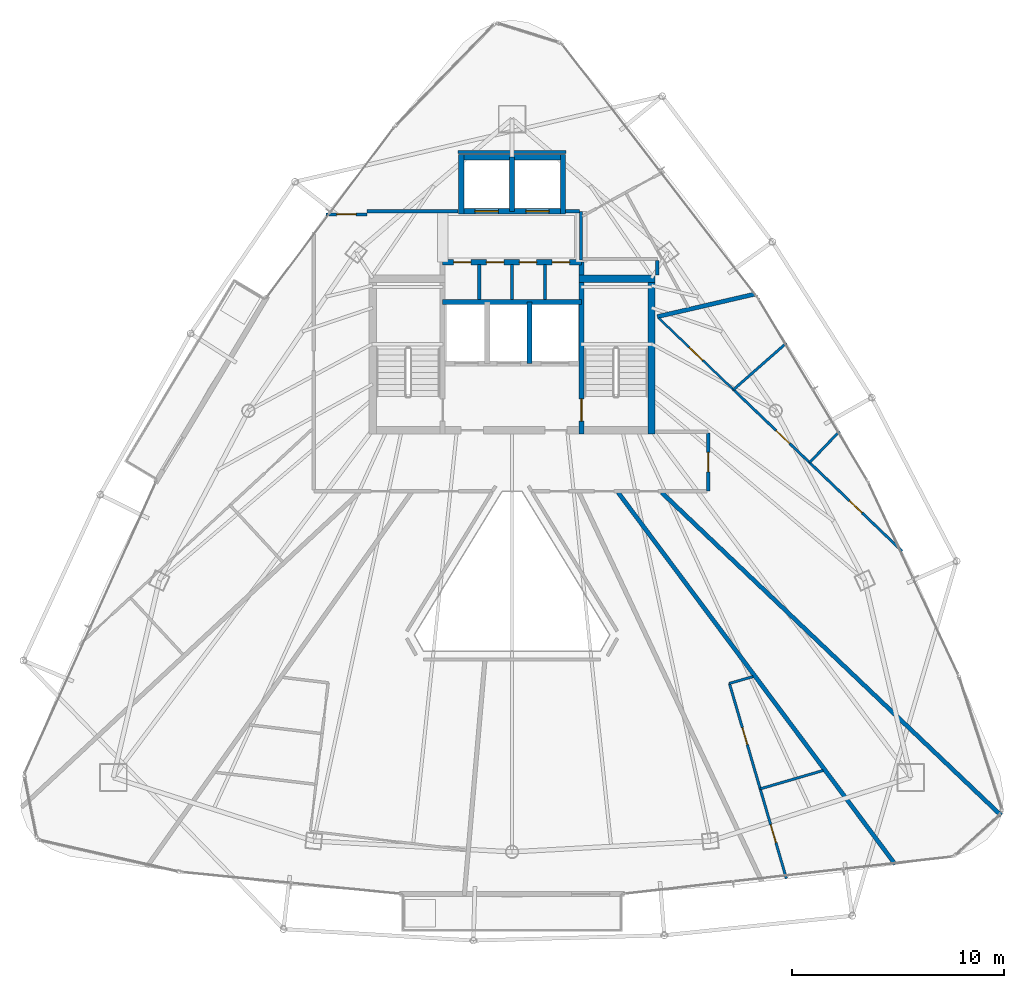
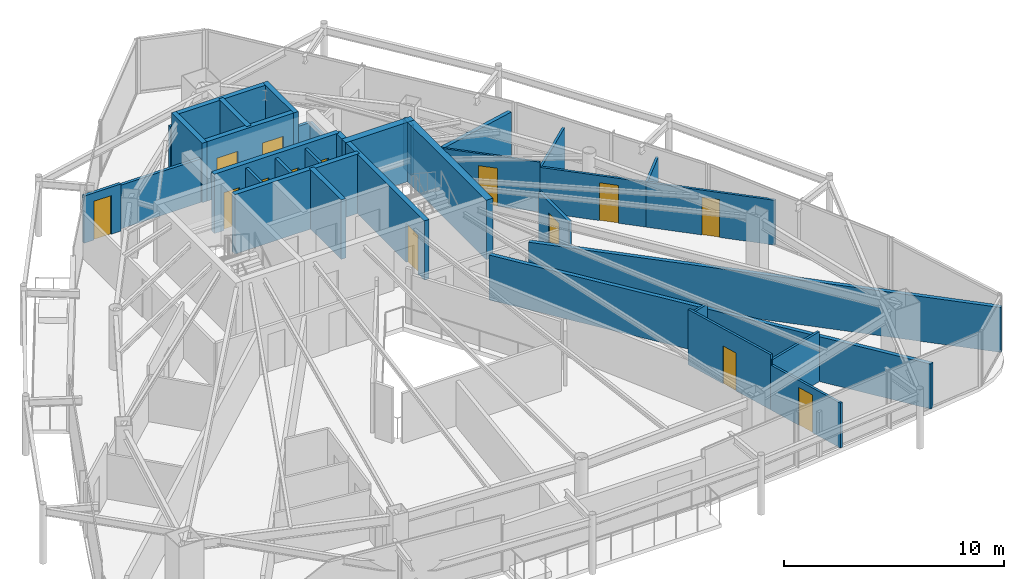
# One storey, part 28 of 32: 33 walls, 14 doors, 14 openings.
"""IFC4 building model written with IfcOpenShell, lengths in metres."""

import ifcopenshell
import ifcopenshell.guid

model = None  # the IFC model being written
_history = None  # IfcOwnerHistory: only IFC2X3 demands one
_inside = {}  # id of a spatial element -> (the spatial element, [elements in it])
_under = {}  # id of a project, library or spatial element -> (it, [spatial elements below it])
_declared = {}  # id of a project -> (the project, [libraries it declares])
_typed = {}  # id of a type object -> (the type object, [elements of that type])
_made_of = {}  # id of a material, layer set ... -> (it, [elements and type objects made of it])


def new_model(schema):
    """Start an empty IFC model of exactly this schema.

    Asked for "IFC4X3", IfcOpenShell would pick the latest addendum, in which some entities
    have other attributes; the version numbers below select the first issue.
    IFC2X3 requires an IfcOwnerHistory on every rooted entity: one is made here for all.
    """
    global model, _history
    if schema == "IFC4X3":
        model = ifcopenshell.file(schema_version=(4, 3, 0, 0))
    else:
        model = ifcopenshell.file(schema=schema)
    _inside.clear()
    _under.clear()
    _declared.clear()
    _typed.clear()
    _made_of.clear()
    _history = None
    if model.schema == "IFC2X3":
        org = make("IfcOrganization", Name="unknown")
        user = make(
            "IfcPersonAndOrganization",
            ThePerson=make("IfcPerson", FamilyName="unknown"),
            TheOrganization=org,
        )
        app = make(
            "IfcApplication",
            ApplicationDeveloper=org,
            Version="unknown",
            ApplicationFullName="unknown",
            ApplicationIdentifier="unknown",
        )
        _history = make(
            "IfcOwnerHistory",
            OwningUser=user,
            OwningApplication=app,
            ChangeAction="ADDED",
            CreationDate=0,
        )
    return model


def make(cls, **values):
    """One entity of the class cls with the attributes given. An attribute that is None is left unset."""
    return model.create_entity(
        cls, **{name: value for name, value in values.items() if value is not None}
    )


def rooted(cls, **values):
    """An entity with a GlobalId (a new one), such as an element, a storey or a relation."""
    return make(cls, GlobalId=ifcopenshell.guid.new(), OwnerHistory=_history, **values)


def si_unit(unit_type, name, prefix=None):
    """IfcSIUnit, for example si_unit("LENGTHUNIT", "METRE", prefix="MILLI")."""
    return make("IfcSIUnit", UnitType=unit_type, Prefix=prefix, Name=name)


def assignment(units):
    """IfcUnitAssignment: the units of a project."""
    return None if units is None else make("IfcUnitAssignment", Units=units)


def point(xyz):
    """IfcCartesianPoint."""
    return None if xyz is None else make("IfcCartesianPoint", Coordinates=xyz)


def direction(xyz):
    """IfcDirection."""
    return None if xyz is None else make("IfcDirection", DirectionRatios=xyz)


def frame(location, z_axis=None, x_axis=None):
    """IfcAxis2Placement3D, a coordinate frame: its origin and axes. An axis left out is left unset."""
    return make(
        "IfcAxis2Placement3D",
        Location=point(location),
        Axis=direction(z_axis),
        RefDirection=direction(x_axis),
    )


def frame_2d(location, x_axis=None):
    """IfcAxis2Placement2D, a coordinate frame in the plane: its origin and x axis."""
    return make(
        "IfcAxis2Placement2D", Location=point(location), RefDirection=direction(x_axis)
    )


def origin():
    """The frame at (0, 0, 0) with its axes left unset."""
    return frame((0.0, 0.0, 0.0))


def place(relative_to, where):
    """IfcLocalPlacement: puts the frame where relative to a parent placement (None: the world)."""
    return make(
        "IfcLocalPlacement", PlacementRelTo=relative_to, RelativePlacement=where
    )


def context(
    kind, dimensions, precision=None, world=None, true_north=None, identifier=None
):
    """IfcGeometricRepresentationContext, for example the 3D "Model" context."""
    return make(
        "IfcGeometricRepresentationContext",
        ContextIdentifier=identifier,
        ContextType=kind,
        CoordinateSpaceDimension=dimensions,
        Precision=precision,
        WorldCoordinateSystem=world,
        TrueNorth=true_north,
    )


def subcontext(parent, identifier, kind, view, scale=None):
    """IfcGeometricRepresentationSubContext, for example "Body" below "Model"."""
    return make(
        "IfcGeometricRepresentationSubContext",
        ContextIdentifier=identifier,
        ContextType=kind,
        ParentContext=parent,
        TargetScale=scale,
        TargetView=view,
    )


def project(units=None, contexts=None):
    """IfcProject with its units and contexts."""
    return rooted(
        "IfcProject",
        Name="project",
        RepresentationContexts=contexts,
        UnitsInContext=assignment(units),
    )


def spatial(cls, under=None, at=None, **own):
    """A site, building, storey or space (cls), placed at a placement, below another one or the project."""
    s = rooted(cls, ObjectPlacement=at, **own)
    if under is not None:
        _under.setdefault(under.id(), (under, []))[1].append(s)
    return s


def profile(cls, at=None, kind="AREA", **sizes):
    """A parametric profile (cls). Its sizes go by their IFC names, for example OverallWidth=200.0."""
    return make(cls, ProfileType=kind, Position=at, **sizes)


def rectangle(**sizes):
    """IfcRectangleProfileDef."""
    return profile("IfcRectangleProfileDef", **sizes)


def extrude(swept, where, along, depth):
    """IfcExtrudedAreaSolid: the profile swept, set in the frame where, extruded along a direction by depth."""
    return make(
        "IfcExtrudedAreaSolid",
        SweptArea=swept,
        Position=where,
        ExtrudedDirection=direction(along),
        Depth=depth,
    )


def shape(context_of_items, identifier, shape_type, items):
    """IfcShapeRepresentation: the items that make up one representation, for example the "Body"."""
    return make(
        "IfcShapeRepresentation",
        ContextOfItems=context_of_items,
        RepresentationIdentifier=identifier,
        RepresentationType=shape_type,
        Items=items,
    )


def material(Name=None, Category=None):
    """IfcMaterial."""
    return make("IfcMaterial", Name=Name, Category=Category)


def layer(
    of_material, thickness, ventilated=None, Name=None, Category=None, Priority=None
):
    """IfcMaterialLayer: one layer of a wall or slab, of a material (None: an air gap)."""
    return make(
        "IfcMaterialLayer",
        Material=of_material,
        LayerThickness=thickness,
        IsVentilated=ventilated,
        Name=Name,
        Category=Category,
        Priority=Priority,
    )


def layer_set(layers, Name=None):
    """IfcMaterialLayerSet."""
    return make("IfcMaterialLayerSet", MaterialLayers=layers, LayerSetName=Name)


def made_of(thing, what):
    """Note that an element or type object is made of a material, layer set ...; save() writes the relation."""
    if what is not None:
        _made_of.setdefault(what.id(), (what, []))[1].append(thing)
    return thing


def type_object(cls, material=None, **own):
    """A type object (cls), such as IfcWallType, which elements share."""
    return made_of(rooted(cls, **own), material)


def element(
    cls,
    number,
    at=None,
    inside=None,
    cuts=None,
    type_object=None,
    material=None,
    context=None,
    identifier="Body",
    shape_type=None,
    held_by="IfcProductDefinitionShape",
    body=None,
    shapes=None,
    **own,
):
    """One element of the class cls, such as IfcWall. Its Tag is "e" and its number.

    at: its placement. inside: the storey or other place that contains it. cuts: it is an
    opening in that element (IfcRelVoidsElement). A single representation is given by context,
    identifier, shape_type and body (its items); several are given by shapes. held_by: the class
    of the entity that holds the representations. save() writes the other relations.
    """
    e = rooted(cls, Tag="e%d" % number, ObjectPlacement=at, **own)
    if body is not None:
        shapes = [shape(context, identifier, shape_type, body)]
    if shapes is not None:
        e.Representation = make(held_by, Representations=shapes)
    if inside is not None:
        _inside.setdefault(inside.id(), (inside, []))[1].append(e)
    if cuts is not None:
        rooted(
            "IfcRelVoidsElement", RelatingBuildingElement=cuts, RelatedOpeningElement=e
        )
    if type_object is not None:
        _typed.setdefault(type_object.id(), (type_object, []))[1].append(e)
    return made_of(e, material)


def fill(opening, filler):
    """IfcRelFillsElement: the door or window that sits in an opening."""
    return rooted(
        "IfcRelFillsElement",
        RelatingOpeningElement=opening,
        RelatedBuildingElement=filler,
    )


def aggregate(whole, parts):
    """IfcRelAggregates: a whole, such as a stair, and the parts it consists of."""
    return rooted("IfcRelAggregates", RelatingObject=whole, RelatedObjects=parts)


def save(model, path):
    """Write the relations noted so far, then the file.

    IfcRelAggregates (storeys below a building ...), IfcRelContainedInSpatialStructure (elements
    in a storey), IfcRelDefinesByType, IfcRelAssociatesMaterial and IfcRelDeclares: one each for
    every whole, place, type object, material and project.
    """
    for whole, parts in _under.values():
        aggregate(whole, parts)
    for where, things in _inside.values():
        rooted(
            "IfcRelContainedInSpatialStructure",
            RelatedElements=things,
            RelatingStructure=where,
        )
    for kind, things in _typed.values():
        rooted("IfcRelDefinesByType", RelatedObjects=things, RelatingType=kind)
    for what, things in _made_of.values():
        rooted("IfcRelAssociatesMaterial", RelatedObjects=things, RelatingMaterial=what)
    for by, libraries in _declared.values():
        rooted("IfcRelDeclares", RelatingContext=by, RelatedDefinitions=libraries)
    model.write(path)


model = new_model("IFC4")

# Units and contexts
model_context = context("Model", 3, precision=1e-05, world=origin(), true_north=direction((0.0, 1.0)))
body_context = subcontext(model_context, "Body", "Model", "MODEL_VIEW")
ifc_project = project(units=[si_unit("LENGTHUNIT", "METRE"), si_unit("AREAUNIT", "SQUARE_METRE"), si_unit("VOLUMEUNIT", "CUBIC_METRE"), si_unit("PLANEANGLEUNIT", "RADIAN"), si_unit("MASSUNIT", "GRAM", prefix="KILO")], contexts=[model_context])

# Site, building, storey
site_placement = place(None, origin())
site = spatial("IfcSite", under=ifc_project, at=site_placement, CompositionType="ELEMENT")
building_placement = place(site_placement, origin())
building = spatial("IfcBuilding", under=site, at=building_placement, Name="Orvanel Arch Residences", CompositionType="ELEMENT")
storey_placement = place(building_placement, frame((0.0, 0.0, 219.5)))
storey = spatial("IfcBuildingStorey", under=building, at=storey_placement, Name="L62", CompositionType="ELEMENT", Elevation=219.5)

# Wall, opening, door
ifc_material_1 = material(Name="Concrete N50 (50 MPa)", Category="concrete")
ifc_layer_1 = layer(ifc_material_1, 0.25)
ifc_layer_set_1 = layer_set([ifc_layer_1], Name="Concrete N50 (50 MPa)")
wall_type_1 = type_object("IfcWallType", Name="SW-CORE-250", PredefinedType="SHEAR", material=ifc_layer_set_1)
wall_1_placement = place(storey_placement, frame((36.27490234375, 26.550048828125, 0.0), z_axis=(0.0, 0.0, 1.0), x_axis=(0.0, 1.0, 0.0)))
wall_1 = element("IfcWall", 1, at=wall_1_placement, inside=storey, type_object=wall_type_1, Name="L62 East Inner Core Spine Shear Wall", PredefinedType="SHEAR", context=body_context, shape_type="SweptSolid", body=[
    extrude(rectangle(XDim=8.099853515625, YDim=0.25, at=frame_2d((4.0498046875, 0.0))), origin(), (0.0, 0.0, 1.0), 3.300048828125),
])
opening_1_placement = place(wall_1_placement, frame((0.60009765625, 0.0, 0.0)))
opening_1 = element("IfcOpeningElement", 2, at=opening_1_placement, cuts=wall_1, Name="Opening DF-120", PredefinedType="OPENING", context=body_context, shape_type="SweptSolid", body=[
    extrude(rectangle(XDim=1.050048828125, YDim=2.14990234375, at=frame_2d((0.52490234375, 1.074951171875))), frame((0.0, 0.135009765625, 0.0), z_axis=(0.0, -1.0, 0.0), x_axis=(1.0, 0.0, 0.0)), (0.0, 0.0, 1.0), 0.27001953125),
])
ifc_material_2 = material(Name="Galvanised steel fire-resisting door assembly", Category="steel")
door_type_1 = type_object("IfcDoorType", Name="DR-FD120-1050", OperationType="NOTDEFINED", PredefinedType="DOOR", material=ifc_material_2)
door_1_placement = place(opening_1_placement, origin())
door_1 = element("IfcDoor", 3, at=door_1_placement, inside=storey, type_object=door_type_1, Name="DR-L62-ST2 L62 Stair 2 Fire Door", OperationType="SINGLE_SWING_RIGHT", OverallHeight=2.14990234375, OverallWidth=1.050048828125, PredefinedType="DOOR", context=body_context, shape_type="SweptSolid", body=[
    extrude(rectangle(XDim=1.050048828125, YDim=2.14990234375, at=frame_2d((0.52490234375, 1.074951171875))), frame((0.0, 0.02490234375, 0.0), z_axis=(0.0, -1.0, 0.0), x_axis=(1.0, 0.0, 0.0)), (0.0, 0.0, 1.0), 0.050048828125),
])
fill(opening_1, door_1)

# Walls
wall_2_placement = place(storey_placement, frame((29.72509765625, 32.77490234375, 0.0), z_axis=(0.0, 0.0, 1.0), x_axis=(1.0, 0.0, 0.0)))
element("IfcWall", 4, at=wall_2_placement, inside=storey, type_object=wall_type_1, Name="L62 Emergency Lift Back Core Shear Wall", PredefinedType="SHEAR", context=body_context, shape_type="SweptSolid", body=[
    extrude(rectangle(XDim=6.5498046875, YDim=0.25, at=frame_2d((3.27490234375, 0.0))), origin(), (0.0, 0.0, 1.0), 3.300048828125),
])
wall_3_placement = place(storey_placement, frame((33.824951171875, 29.875, 0.0), z_axis=(0.0, 0.0, 1.0), x_axis=(0.0, 1.0, 0.0)))
element("IfcWall", 5, at=wall_3_placement, inside=storey, type_object=wall_type_1, Name="L62 Emergency Lift Inter-Shaft Wall F2G", PredefinedType="SHEAR", context=body_context, shape_type="SweptSolid", body=[
    extrude(rectangle(XDim=2.89990234375, YDim=0.25, at=frame_2d((1.449951171875, 0.0))), origin(), (0.0, 0.0, 1.0), 3.300048828125),
])

# Wall, openings, doors
wall_4_placement = place(storey_placement, frame((29.72509765625, 34.64990234375, 0.0), z_axis=(0.0, 0.0, 1.0), x_axis=(1.0, 0.0, 0.0)))
wall_4 = element("IfcWall", 6, at=wall_4_placement, inside=storey, type_object=wall_type_1, Name="L62 Core Service Band North Shear Wall", PredefinedType="SHEAR", context=body_context, shape_type="SweptSolid", body=[
    extrude(rectangle(XDim=6.5498046875, YDim=0.25, at=frame_2d((3.27490234375, 0.0))), origin(), (0.0, 0.0, 1.0), 3.300048828125),
])
opening_2_placement = place(wall_4_placement, frame((0.514892578125, 0.0, 0.0)))
opening_2 = element("IfcOpeningElement", 7, at=opening_2_placement, cuts=wall_4, Name="Opening DS-082", PredefinedType="OPENING", context=body_context, shape_type="SweptSolid", body=[
    extrude(rectangle(XDim=0.820068359375, YDim=2.10009765625, at=frame_2d((0.41015625, 1.050048828125))), frame((0.0, 0.135009765625, 0.0), z_axis=(0.0, -1.0, 0.0), x_axis=(1.0, 0.0, 0.0)), (0.0, 0.0, 1.0), 0.27001953125),
])
opening_3_placement = place(wall_4_placement, frame((2.06494140625, 0.0, 0.0)))
opening_3 = element("IfcOpeningElement", 8, at=opening_3_placement, cuts=wall_4, Name="Opening DS-082", PredefinedType="OPENING", context=body_context, shape_type="SweptSolid", body=[
    extrude(rectangle(XDim=0.820068359375, YDim=2.10009765625, at=frame_2d((0.41015625, 1.050048828125))), frame((0.0, 0.135009765625, 0.0), z_axis=(0.0, -1.0, 0.0), x_axis=(1.0, 0.0, 0.0)), (0.0, 0.0, 1.0), 0.27001953125),
])
opening_4_placement = place(wall_4_placement, frame((3.614990234375, 0.0, 0.0)))
opening_4 = element("IfcOpeningElement", 9, at=opening_4_placement, cuts=wall_4, Name="Opening DS-082", PredefinedType="OPENING", context=body_context, shape_type="SweptSolid", body=[
    extrude(rectangle(XDim=0.820068359375, YDim=2.10009765625, at=frame_2d((0.41015625, 1.050048828125))), frame((0.0, 0.135009765625, 0.0), z_axis=(0.0, -1.0, 0.0), x_axis=(1.0, 0.0, 0.0)), (0.0, 0.0, 1.0), 0.27001953125),
])
opening_5_placement = place(wall_4_placement, frame((5.1650390625, 0.0, 0.0)))
opening_5 = element("IfcOpeningElement", 10, at=opening_5_placement, cuts=wall_4, Name="Opening DS-082", PredefinedType="OPENING", context=body_context, shape_type="SweptSolid", body=[
    extrude(rectangle(XDim=0.820068359375, YDim=2.10009765625, at=frame_2d((0.41015625, 1.050048828125))), frame((0.0, 0.135009765625, 0.0), z_axis=(0.0, -1.0, 0.0), x_axis=(1.0, 0.0, 0.0)), (0.0, 0.0, 1.0), 0.27001953125),
])
door_type_2 = type_object("IfcDoorType", Name="DR-SVC-820", OperationType="NOTDEFINED", PredefinedType="DOOR", material=ifc_material_2)
door_2_placement = place(opening_2_placement, origin())
door_2 = element("IfcDoor", 11, at=door_2_placement, inside=storey, type_object=door_type_2, Name="DR-L62-CSVC-1 L62 Linen Store Door", OperationType="SINGLE_SWING_LEFT", OverallHeight=2.10009765625, OverallWidth=0.820068359375, PredefinedType="DOOR", context=body_context, shape_type="SweptSolid", body=[
    extrude(rectangle(XDim=0.820068359375, YDim=2.10009765625, at=frame_2d((0.41015625, 1.050048828125))), frame((0.0, 0.02490234375, 0.0), z_axis=(0.0, -1.0, 0.0), x_axis=(1.0, 0.0, 0.0)), (0.0, 0.0, 1.0), 0.050048828125),
])
fill(opening_2, door_2)
door_3_placement = place(opening_3_placement, origin())
door_3 = element("IfcDoor", 12, at=door_3_placement, inside=storey, type_object=door_type_2, Name="DR-L62-CSVC-2 L62 Cleaner's Store Door", OperationType="SINGLE_SWING_LEFT", OverallHeight=2.10009765625, OverallWidth=0.820068359375, PredefinedType="DOOR", context=body_context, shape_type="SweptSolid", body=[
    extrude(rectangle(XDim=0.820068359375, YDim=2.10009765625, at=frame_2d((0.41015625, 1.050048828125))), frame((0.0, 0.02490234375, 0.0), z_axis=(0.0, -1.0, 0.0), x_axis=(1.0, 0.0, 0.0)), (0.0, 0.0, 1.0), 0.050048828125),
])
fill(opening_3, door_3)
door_4_placement = place(opening_4_placement, origin())
door_4 = element("IfcDoor", 13, at=door_4_placement, inside=storey, type_object=door_type_2, Name="DR-L62-CSVC-3 L62 Electrical Meter Store Door", OperationType="SINGLE_SWING_LEFT", OverallHeight=2.10009765625, OverallWidth=0.820068359375, PredefinedType="DOOR", context=body_context, shape_type="SweptSolid", body=[
    extrude(rectangle(XDim=0.820068359375, YDim=2.10009765625, at=frame_2d((0.41015625, 1.050048828125))), frame((0.0, 0.02490234375, 0.0), z_axis=(0.0, -1.0, 0.0), x_axis=(1.0, 0.0, 0.0)), (0.0, 0.0, 1.0), 0.050048828125),
])
fill(opening_4, door_4)
door_5_placement = place(opening_5_placement, origin())
door_5 = element("IfcDoor", 14, at=door_5_placement, inside=storey, type_object=door_type_2, Name="DR-L62-CSVC-4 L62 Housekeeping Supply Store Door", OperationType="SINGLE_SWING_LEFT", OverallHeight=2.10009765625, OverallWidth=0.820068359375, PredefinedType="DOOR", context=body_context, shape_type="SweptSolid", body=[
    extrude(rectangle(XDim=0.820068359375, YDim=2.10009765625, at=frame_2d((0.41015625, 1.050048828125))), frame((0.0, 0.02490234375, 0.0), z_axis=(0.0, -1.0, 0.0), x_axis=(1.0, 0.0, 0.0)), (0.0, 0.0, 1.0), 0.050048828125),
])
fill(opening_5, door_5)

wall_5_placement = place(storey_placement, frame((35.52490234375, 37.050048828125, 0.0), z_axis=(0.0, 0.0, 1.0), x_axis=(-1.0, 0.0, 0.0)))
wall_5 = element("IfcWall", 15, at=wall_5_placement, inside=storey, type_object=wall_type_1, Name="L62 Passenger Lift Bank Front Shear Wall", PredefinedType="SHEAR", context=body_context, shape_type="SweptSolid", body=[
    extrude(rectangle(XDim=5.0498046875, YDim=0.25, at=frame_2d((2.52490234375, 0.0))), origin(), (0.0, 0.0, 1.0), 3.300048828125),
])
opening_6_placement = place(wall_5_placement, frame((3.175048828125, 0.0, 0.0)))
opening_6 = element("IfcOpeningElement", 16, at=opening_6_placement, cuts=wall_5, Name="Opening LD-110", PredefinedType="OPENING", context=body_context, shape_type="SweptSolid", body=[
    extrude(rectangle(XDim=1.10009765625, YDim=2.199951171875, at=frame_2d((0.550048828125, 1.10009765625))), frame((0.0, 0.135009765625, 0.0), z_axis=(0.0, -1.0, 0.0), x_axis=(1.0, 0.0, 0.0)), (0.0, 0.0, 1.0), 0.27001953125),
])
opening_7_placement = place(wall_5_placement, frame((0.77490234375, 0.0, 0.0)))
opening_7 = element("IfcOpeningElement", 17, at=opening_7_placement, cuts=wall_5, Name="Opening LD-110", PredefinedType="OPENING", context=body_context, shape_type="SweptSolid", body=[
    extrude(rectangle(XDim=1.10009765625, YDim=2.199951171875, at=frame_2d((0.550048828125, 1.10009765625))), frame((0.0, 0.135009765625, 0.0), z_axis=(0.0, -1.0, 0.0), x_axis=(1.0, 0.0, 0.0)), (0.0, 0.0, 1.0), 0.27001953125),
])
door_type_3 = type_object("IfcDoorType", Name="DR-LFT-1100", OperationType="NOTDEFINED", PredefinedType="DOOR", material=ifc_material_2)
door_6_placement = place(opening_6_placement, origin())
door_6 = element("IfcDoor", 18, at=door_6_placement, inside=storey, type_object=door_type_3, Name="LD-P5-L62 L62 Passenger Lift P5 Sliding Landing Door", OperationType="DOUBLE_DOOR_SLIDING", OverallHeight=2.199951171875, OverallWidth=1.10009765625, PredefinedType="DOOR", context=body_context, shape_type="SweptSolid", body=[
    extrude(rectangle(XDim=1.10009765625, YDim=2.199951171875, at=frame_2d((0.550048828125, 1.10009765625))), frame((0.0, 0.02490234375, 0.0), z_axis=(0.0, -1.0, 0.0), x_axis=(1.0, 0.0, 0.0)), (0.0, 0.0, 1.0), 0.050048828125),
])
fill(opening_6, door_6)
door_7_placement = place(opening_7_placement, origin())
door_7 = element("IfcDoor", 19, at=door_7_placement, inside=storey, type_object=door_type_3, Name="LD-P6-L62 L62 Passenger Lift P6 Sliding Landing Door", OperationType="DOUBLE_DOOR_SLIDING", OverallHeight=2.199951171875, OverallWidth=1.10009765625, PredefinedType="DOOR", context=body_context, shape_type="SweptSolid", body=[
    extrude(rectangle(XDim=1.10009765625, YDim=2.199951171875, at=frame_2d((0.550048828125, 1.10009765625))), frame((0.0, 0.02490234375, 0.0), z_axis=(0.0, -1.0, 0.0), x_axis=(1.0, 0.0, 0.0)), (0.0, 0.0, 1.0), 0.050048828125),
])
fill(opening_7, door_7)

# Walls
wall_6_placement = place(storey_placement, frame((30.47509765625, 39.60009765625, 0.0), z_axis=(0.0, 0.0, 1.0), x_axis=(1.0, 0.0, 0.0)))
element("IfcWall", 20, at=wall_6_placement, inside=storey, type_object=wall_type_1, Name="L62 Passenger Lift Bank North Shear Wall", PredefinedType="SHEAR", context=body_context, shape_type="SweptSolid", body=[
    extrude(rectangle(XDim=5.0498046875, YDim=0.25, at=frame_2d((2.52490234375, 0.0))), origin(), (0.0, 0.0, 1.0), 3.300048828125),
])
for number, where, z_axis, x_axis, name in (
    (21, (30.60009765625, 36.925048828125, 0.0), (0.0, 0.0, 1.0), (0.0, 1.0, 0.0), "L62 Passenger Lift Bank West Shear Wall"),
    (22, (35.39990234375, 36.925048828125, 0.0), (0.0, 0.0, 1.0), (0.0, 1.0, 0.0), "L62 Passenger Lift Bank East Shear Wall"),
):
    element("IfcWall", number, at=place(storey_placement, frame(where, z_axis=z_axis, x_axis=x_axis)), inside=storey, type_object=wall_type_1, Name=name, PredefinedType="SHEAR", context=body_context, shape_type="SweptSolid", body=[
        extrude(rectangle(XDim=2.800048828125, YDim=0.25, at=frame_2d((1.39990234375, 0.0))), origin(), (0.0, 0.0, 1.0), 3.300048828125),
    ])
wall_7_placement = place(storey_placement, frame((33.0, 37.050048828125, 0.0), z_axis=(0.0, 0.0, 1.0), x_axis=(0.0, 1.0, 0.0)))
element("IfcWall", 23, at=wall_7_placement, inside=storey, type_object=wall_type_1, Name="L62 Passenger Lift Inter-Shaft Wall P56", PredefinedType="SHEAR", context=body_context, shape_type="SweptSolid", body=[
    extrude(rectangle(XDim=2.550048828125, YDim=0.25, at=frame_2d((1.27490234375, 0.0))), origin(), (0.0, 0.0, 1.0), 3.300048828125),
])
ifc_layer_2 = layer(ifc_material_1, 0.35009765625)
ifc_layer_set_2 = layer_set([ifc_layer_2], Name="Concrete N50 (50 MPa)")
wall_type_2 = type_object("IfcWallType", Name="SW-CORE-350", PredefinedType="SHEAR", material=ifc_layer_set_2)
wall_8_placement = place(storey_placement, frame((39.574951171875, 26.550048828125, 0.0), z_axis=(0.0, 0.0, 1.0), x_axis=(0.0, 1.0, 0.0)))
element("IfcWall", 24, at=wall_8_placement, inside=storey, type_object=wall_type_2, Name="L62 East Stair Shear Wall", PredefinedType="SHEAR", context=body_context, shape_type="SweptSolid", body=[
    extrude(rectangle(XDim=7.5, YDim=0.35009765625, at=frame_2d((3.75, 0.0))), origin(), (0.0, 0.0, 1.0), 3.300048828125),
])
wall_9_placement = place(storey_placement, frame((36.14990234375, 33.875, 0.0), z_axis=(0.0, 0.0, 1.0), x_axis=(1.0, 0.0, 0.0)))
element("IfcWall", 25, at=wall_9_placement, inside=storey, type_object=wall_type_2, Name="L62 East Stair North Shear Wall", PredefinedType="SHEAR", context=body_context, shape_type="SweptSolid", body=[
    extrude(rectangle(XDim=3.60009765625, YDim=0.35009765625, at=frame_2d((1.800048828125, 0.0))), origin(), (0.0, 0.0, 1.0), 3.300048828125),
])
ifc_material_3 = material(Name="Fire-rated plasterboard lined steel stud partition", Category="steel")
ifc_layer_3 = layer(ifc_material_3, 0.14990234375)
ifc_layer_set_3 = layer_set([ifc_layer_3], Name="Fire-rated plasterboard lined steel stud partition")
wall_type_3 = type_object("IfcWallType", Name="W-COR-150", PredefinedType="PARTITIONING", material=ifc_layer_set_3)
wall_10_placement = place(storey_placement, frame((36.25, 34.760009765625, 0.0), z_axis=(0.0, 0.0, 1.0), x_axis=(0.0, 1.0, 0.0)))
element("IfcWall", 26, at=wall_10_placement, inside=storey, type_object=wall_type_3, Name="L62 Passenger Lift Lobby East Closure Wall", PredefinedType="PARTITIONING", context=body_context, shape_type="SweptSolid", body=[
    extrude(rectangle(XDim=2.2900390625, YDim=0.14990234375, at=frame_2d((1.14501953125, 0.0))), origin(), (0.0, 0.0, 1.0), 2.425048828125),
])
wall_11_placement = place(storey_placement, frame((35.52490234375, 37.050048828125, 0.0), z_axis=(0.0, 0.0, 1.0), x_axis=(1.0, 0.0, 0.0)))
element("IfcWall", 27, at=wall_11_placement, inside=storey, type_object=wall_type_3, Name="L62 Passenger Lift Lobby North-East Wall", PredefinedType="PARTITIONING", context=body_context, shape_type="SweptSolid", body=[
    extrude(rectangle(XDim=0.6650390625, YDim=0.14990234375, at=frame_2d((0.33251953125, 0.0))), origin(), (0.0, 0.0, 1.0), 2.425048828125),
])

# Wall, opening, door
wall_12_placement = place(storey_placement, frame((24.22607421875, 36.89990234375, 0.0), z_axis=(0.0, 0.0, 1.0), x_axis=(1.0, 0.0, 0.0)))
wall_12 = element("IfcWall", 28, at=wall_12_placement, inside=storey, type_object=wall_type_3, Name="L62 Corridor Fire-Rated Partition", PredefinedType="PARTITIONING", context=body_context, shape_type="SweptSolid", body=[
    extrude(rectangle(XDim=1.923828125, YDim=0.14990234375, at=frame_2d((0.9619140625, 0.0))), origin(), (0.0, 0.0, 1.0), 2.618896484375),
])
opening_8_placement = place(wall_12_placement, frame((0.501953125, 0.0, 0.0)))
opening_8 = element("IfcOpeningElement", 29, at=opening_8_placement, cuts=wall_12, Name="Opening DA-092", PredefinedType="OPENING", context=body_context, shape_type="SweptSolid", body=[
    extrude(rectangle(XDim=0.919921875, YDim=2.14990234375, at=frame_2d((0.4599609375, 1.074951171875))), frame((0.0, 0.0849609375, 0.0), z_axis=(0.0, -1.0, 0.0), x_axis=(1.0, 0.0, 0.0)), (0.0, 0.0, 1.0), 0.169921875),
])
ifc_material_4 = material(Name="Solid-core European oak veneer fire door leaf", Category="wood")
door_type_4 = type_object("IfcDoorType", Name="DR-APT-920", OperationType="NOTDEFINED", PredefinedType="DOOR", material=ifc_material_4)
door_8_placement = place(opening_8_placement, origin())
door_8 = element("IfcDoor", 30, at=door_8_placement, inside=storey, type_object=door_type_4, Name="DR-L62-E-ENT L62 Studio E Entrance Door", OperationType="SINGLE_SWING_RIGHT", OverallHeight=2.14990234375, OverallWidth=0.919921875, PredefinedType="DOOR", context=body_context, shape_type="SweptSolid", body=[
    extrude(rectangle(XDim=0.919921875, YDim=2.14990234375, at=frame_2d((0.4599609375, 1.074951171875))), frame((0.0, 0.02490234375, 0.0), z_axis=(0.0, -1.0, 0.0), x_axis=(1.0, 0.0, 0.0)), (0.0, 0.0, 1.0), 0.050048828125),
])
fill(opening_8, door_8)

wall_13_placement = place(storey_placement, frame((42.25, 26.590087890625, 0.0), z_axis=(0.0, 0.0, 1.0), x_axis=(0.0, -1.0, 0.0)))
wall_13 = element("IfcWall", 31, at=wall_13_placement, inside=storey, type_object=wall_type_3, Name="L62 Corridor Fire-Rated Partition", PredefinedType="PARTITIONING", context=body_context, shape_type="SweptSolid", body=[
    extrude(rectangle(XDim=2.739990234375, YDim=0.14990234375, at=frame_2d((1.3701171875, 0.0))), origin(), (0.0, 0.0, 1.0), 2.77294921875),
])
opening_9_placement = place(wall_13_placement, frame((0.909912109375, 0.0, 0.0)))
opening_9 = element("IfcOpeningElement", 32, at=opening_9_placement, cuts=wall_13, Name="Opening DA-092", PredefinedType="OPENING", context=body_context, shape_type="SweptSolid", body=[
    extrude(rectangle(XDim=0.919921875, YDim=2.14990234375, at=frame_2d((0.4599609375, 1.074951171875))), frame((0.0, 0.0849609375, 0.0), z_axis=(0.0, -1.0, 0.0), x_axis=(1.0, 0.0, 0.0)), (0.0, 0.0, 1.0), 0.169921875),
])
door_9_placement = place(opening_9_placement, origin())
door_9 = element("IfcDoor", 33, at=door_9_placement, inside=storey, type_object=door_type_4, Name="DR-L62-B-ENT L62 Studio B Entrance Door", OperationType="SINGLE_SWING_LEFT", OverallHeight=2.14990234375, OverallWidth=0.919921875, PredefinedType="DOOR", context=body_context, shape_type="SweptSolid", body=[
    extrude(rectangle(XDim=0.919921875, YDim=2.14990234375, at=frame_2d((0.4599609375, 1.074951171875))), frame((0.0, 0.02490234375, 0.0), z_axis=(0.0, -1.0, 0.0), x_axis=(1.0, 0.0, 0.0)), (0.0, 0.0, 1.0), 0.050048828125),
])
fill(opening_9, door_9)

# Walls
wall_14_placement = place(storey_placement, frame((26.14990234375, 37.050048828125, 0.0), z_axis=(0.0, 0.0, 1.0), x_axis=(1.0, 0.0, 0.0)))
element("IfcWall", 34, at=wall_14_placement, inside=storey, type_object=wall_type_3, Name="L62 Core Perimeter Partition", PredefinedType="PARTITIONING", context=body_context, shape_type="SweptSolid", body=[
    extrude(rectangle(XDim=4.300048828125, YDim=0.14990234375, at=frame_2d((2.14990234375, 0.0))), origin(), (0.0, 0.0, 1.0), 2.425048828125),
])
wall_15_placement = place(storey_placement, frame((30.449951171875, 39.85009765625, 0.0), z_axis=(0.0, 0.0, 1.0), x_axis=(1.0, 0.0, 0.0)))
element("IfcWall", 35, at=wall_15_placement, inside=storey, type_object=wall_type_3, Name="L62 Core Perimeter Partition", PredefinedType="PARTITIONING", context=body_context, shape_type="SweptSolid", body=[
    extrude(rectangle(XDim=5.10009765625, YDim=0.14990234375, at=frame_2d((2.550048828125, 0.0))), origin(), (0.0, 0.0, 1.0), 2.491943359375),
])
wall_16_placement = place(storey_placement, frame((39.85009765625, 34.739990234375, 0.0), z_axis=(0.0, 0.0, 1.0), x_axis=(0.0, -1.0, 0.0)))
element("IfcWall", 36, at=wall_16_placement, inside=storey, type_object=wall_type_3, Name="L62 Core Perimeter Partition", PredefinedType="PARTITIONING", context=body_context, shape_type="SweptSolid", body=[
    extrude(rectangle(XDim=0.68994140625, YDim=0.14990234375, at=frame_2d((0.344970703125, 0.0))), origin(), (0.0, 0.0, 1.0), 2.77294921875),
])
ifc_layer_4 = layer(ifc_material_3, 0.199951171875)
ifc_layer_set_4 = layer_set([ifc_layer_4], Name="Fire-rated plasterboard lined steel stud partition")
wall_type_4 = type_object("IfcWallType", Name="W-DEM-200", PredefinedType="PARTITIONING", material=ifc_layer_set_4)
wall_17_placement = place(storey_placement, frame((39.85009765625, 32.0810546875, 0.0), z_axis=(0.0, 0.0, 1.0), x_axis=(0.974339670333, 0.225082666628, 0.0)))
element("IfcWall", 37, at=wall_17_placement, inside=storey, type_object=wall_type_4, Name="L62 Inter-Tenancy Acoustic Demising Wall", PredefinedType="PARTITIONING", context=body_context, shape_type="SweptSolid", body=[
    extrude(rectangle(XDim=4.7138671875, YDim=0.199951171875, at=frame_2d((2.35693359375, 0.0))), origin(), (0.0, 0.0, 1.0), 2.491943359375),
])
wall_18_placement = place(storey_placement, frame((56.05908203125, 8.56298828125, 0.0), z_axis=(0.0, 0.0, 1.0), x_axis=(-0.724518891706, 0.689254942355, 0.0)))
element("IfcWall", 38, at=wall_18_placement, inside=storey, type_object=wall_type_4, Name="L62 Inter-Tenancy Acoustic Demising Wall", PredefinedType="PARTITIONING", context=body_context, shape_type="SweptSolid", body=[
    extrude(rectangle(XDim=22.092041015625, YDim=0.199951171875, at=frame_2d((11.0458984375, 0.0))), origin(), (0.0, 0.0, 1.0), 2.491943359375),
])
wall_19_placement = place(storey_placement, frame((51.072021484375, 6.2509765625, 0.0), z_axis=(0.0, 0.0, 1.0), x_axis=(-0.59756139073, 0.801823162742, 0.0)))
element("IfcWall", 39, at=wall_19_placement, inside=storey, type_object=wall_type_4, Name="L62 Inter-Tenancy Acoustic Demising Wall", PredefinedType="PARTITIONING", context=body_context, shape_type="SweptSolid", body=[
    extrude(rectangle(XDim=21.8740234375, YDim=0.199951171875, at=frame_2d((10.93701171875, 0.0))), origin(), (0.0, 0.0, 1.0), 2.491943359375),
])

# Wall, opening, door
ifc_material_5 = material(Name="Acoustic plasterboard lined twin-stud partition", Category="gypsum")
ifc_layer_5 = layer(ifc_material_5, 0.10009765625)
ifc_layer_set_5 = layer_set([ifc_layer_5], Name="Acoustic plasterboard lined twin-stud partition")
wall_type_5 = type_object("IfcWallType", Name="W-INT-100", PredefinedType="PARTITIONING", material=ifc_layer_set_5)
wall_20_placement = place(storey_placement, frame((39.91796875, 32.010009765625, 0.0), z_axis=(0.0, 0.0, 1.0), x_axis=(0.722311203135, -0.691568164266, 0.0)))
wall_20 = element("IfcWall", 40, at=wall_20_placement, inside=storey, type_object=wall_type_5, Name="L62 Studio B Internal Partition", PredefinedType="PARTITIONING", context=body_context, shape_type="SweptSolid", body=[
    extrude(rectangle(XDim=4.8759765625, YDim=0.10009765625, at=frame_2d((2.43798828125, 0.0))), origin(), (0.0, 0.0, 1.0), 2.77294921875),
])
opening_10_placement = place(wall_20_placement, frame((1.998046875, 0.0, 0.0)))
opening_10 = element("IfcOpeningElement", 41, at=opening_10_placement, cuts=wall_20, Name="Opening DI-088", PredefinedType="OPENING", context=body_context, shape_type="SweptSolid", body=[
    extrude(rectangle(XDim=0.8798828125, YDim=2.10009765625, at=frame_2d((0.43994140625, 1.050048828125))), frame((0.0, 0.06005859375, 0.0), z_axis=(0.0, -1.0, 0.0), x_axis=(1.0, 0.0, 0.0)), (0.0, 0.0, 1.0), 0.1201171875),
])
door_type_5 = type_object("IfcDoorType", Name="DR-INT-880", OperationType="NOTDEFINED", PredefinedType="DOOR", material=ifc_material_4)
door_10_placement = place(opening_10_placement, origin())
door_10 = element("IfcDoor", 42, at=door_10_placement, inside=storey, type_object=door_type_5, Name="DR-L62-B-AME1 L62 Studio B Resident Reading Library 1 Door", OperationType="SINGLE_SWING_LEFT", OverallHeight=2.10009765625, OverallWidth=0.8798828125, PredefinedType="DOOR", context=body_context, shape_type="SweptSolid", body=[
    extrude(rectangle(XDim=0.8798828125, YDim=2.10009765625, at=frame_2d((0.43994140625, 1.050048828125))), frame((0.0, 0.02490234375, 0.0), z_axis=(0.0, -1.0, 0.0), x_axis=(1.0, 0.0, 0.0)), (0.0, 0.0, 1.0), 0.050048828125),
])
fill(opening_10, door_10)

# Walls
ifc_layer_6 = layer(ifc_material_3, 0.14990234375)
ifc_layer_set_6 = layer_set([ifc_layer_6], Name="Fire-rated plasterboard lined steel stud partition")
wall_type_6 = type_object("IfcWallType", Name="W-ST-150", PredefinedType="PARTITIONING", material=ifc_layer_set_6)
for number, where, z_axis, x_axis, name in (
    (43, (31.449951171875, 32.885009765625, 0.0), (0.0, 0.0, 1.0), (0.0, 1.0, 0.0), "L62 Core Service Partition 1"),
    (44, (33.0, 32.885009765625, 0.0), (0.0, 0.0, 1.0), (0.0, 1.0, 0.0), "L62 Core Service Partition 2"),
    (45, (34.550048828125, 32.885009765625, 0.0), (0.0, 0.0, 1.0), (0.0, 1.0, 0.0), "L62 Core Service Partition 3"),
):
    element("IfcWall", number, at=place(storey_placement, frame(where, z_axis=z_axis, x_axis=x_axis)), inside=storey, type_object=wall_type_6, Name=name, PredefinedType="PARTITIONING", context=body_context, shape_type="SweptSolid", body=[
        extrude(rectangle(XDim=1.655029296875, YDim=0.14990234375, at=frame_2d((0.82763671875, 0.0))), origin(), (0.0, 0.0, 1.0), 3.06005859375),
    ])

# Wall, opening, door
ifc_layer_7 = layer(ifc_material_5, 0.1201171875)
ifc_layer_set_7 = layer_set([ifc_layer_7], Name="Acoustic plasterboard lined twin-stud partition")
wall_type_7 = type_object("IfcWallType", Name="W-WET-120", PredefinedType="PARTITIONING", material=ifc_layer_set_7)
wall_21_placement = place(storey_placement, frame((47.030029296875, 25.199951171875, 0.0), z_axis=(0.0, 0.0, 1.0), x_axis=(0.722345830301, -0.691531995968, 0.0)))
wall_21 = element("IfcWall", 46, at=wall_21_placement, inside=storey, type_object=wall_type_7, Name="L62 Studio B Bathroom Partition", PredefinedType="PARTITIONING", context=body_context, shape_type="SweptSolid", body=[
    extrude(rectangle(XDim=6.037353515625, YDim=0.1201171875, at=frame_2d((3.0185546875, 0.0))), origin(), (0.0, 0.0, 1.0), 2.491943359375),
])
opening_11_placement = place(wall_21_placement, frame((2.60888671875, 0.0, 0.0)))
opening_11 = element("IfcOpeningElement", 47, at=opening_11_placement, cuts=wall_21, Name="Opening DW-082", PredefinedType="OPENING", context=body_context, shape_type="SweptSolid", body=[
    extrude(rectangle(XDim=0.820068359375, YDim=2.10009765625, at=frame_2d((0.41015625, 1.050048828125))), frame((0.0, 0.070068359375, 0.0), z_axis=(0.0, -1.0, 0.0), x_axis=(1.0, 0.0, 0.0)), (0.0, 0.0, 1.0), 0.14013671875),
])
door_type_6 = type_object("IfcDoorType", Name="DR-WET-820", OperationType="NOTDEFINED", PredefinedType="DOOR", material=ifc_material_4)
door_11_placement = place(opening_11_placement, origin())
door_11 = element("IfcDoor", 48, at=door_11_placement, inside=storey, type_object=door_type_6, Name="DR-L62-B-BATH L62 Studio B Bathroom Door", OperationType="SINGLE_SWING_RIGHT", OverallHeight=2.10009765625, OverallWidth=0.820068359375, PredefinedType="DOOR", context=body_context, shape_type="SweptSolid", body=[
    extrude(rectangle(XDim=0.820068359375, YDim=2.10009765625, at=frame_2d((0.41015625, 1.050048828125))), frame((0.0, 0.02490234375, 0.0), z_axis=(0.0, -1.0, 0.0), x_axis=(1.0, 0.0, 0.0)), (0.0, 0.0, 1.0), 0.050048828125),
])
fill(opening_11, door_11)

wall_22_placement = place(storey_placement, frame((43.43994140625, 28.637939453125, 0.0), z_axis=(0.0, 0.0, 1.0), x_axis=(0.722240667523, -0.691641827954, 0.0)))
wall_22 = element("IfcWall", 49, at=wall_22_placement, inside=storey, type_object=wall_type_7, Name="L62 Studio B Internal Partition", PredefinedType="PARTITIONING", context=body_context, shape_type="SweptSolid", body=[
    extrude(rectangle(XDim=4.970703125, YDim=0.1201171875, at=frame_2d((2.4853515625, 0.0))), origin(), (0.0, 0.0, 1.0), 2.491943359375),
])
opening_12_placement = place(wall_22_placement, frame((2.784912109375, 0.0, 0.0)))
opening_12 = element("IfcOpeningElement", 50, at=opening_12_placement, cuts=wall_22, Name="Opening DI-088", PredefinedType="OPENING", context=body_context, shape_type="SweptSolid", body=[
    extrude(rectangle(XDim=0.8798828125, YDim=2.10009765625, at=frame_2d((0.43994140625, 1.050048828125))), frame((0.0, 0.070068359375, 0.0), z_axis=(0.0, -1.0, 0.0), x_axis=(1.0, 0.0, 0.0)), (0.0, 0.0, 1.0), 0.14013671875),
])
door_12_placement = place(opening_12_placement, origin())
door_12 = element("IfcDoor", 51, at=door_12_placement, inside=storey, type_object=door_type_5, Name="DR-L62-B-KIT L62 Studio B Kitchenette Door", OperationType="SINGLE_SWING_LEFT", OverallHeight=2.10009765625, OverallWidth=0.8798828125, PredefinedType="DOOR", context=body_context, shape_type="SweptSolid", body=[
    extrude(rectangle(XDim=0.8798828125, YDim=2.10009765625, at=frame_2d((0.43994140625, 1.050048828125))), frame((0.0, 0.02490234375, 0.0), z_axis=(0.0, -1.0, 0.0), x_axis=(1.0, 0.0, 0.0)), (0.0, 0.0, 1.0), 0.050048828125),
])
fill(opening_12, door_12)

# Walls
wall_23_placement = place(storey_placement, frame((47.030029296875, 25.199951171875, 0.0), z_axis=(0.0, 0.0, 1.0), x_axis=(0.691459612883, 0.722415118717, 0.0)))
element("IfcWall", 52, at=wall_23_placement, inside=storey, type_object=wall_type_7, Name="L62 Studio B Bathroom Partition", PredefinedType="PARTITIONING", context=body_context, shape_type="SweptSolid", body=[
    extrude(rectangle(XDim=2.034912109375, YDim=0.1201171875, at=frame_2d((1.017578125, 0.0))), origin(), (0.0, 0.0, 1.0), 2.491943359375),
])
wall_24_placement = place(storey_placement, frame((43.43994140625, 28.637939453125, 0.0), z_axis=(0.0, 0.0, 1.0), x_axis=(0.750679989093, 0.66066599275, 0.0)))
element("IfcWall", 53, at=wall_24_placement, inside=storey, type_object=wall_type_7, Name="L62 Studio B Internal Partition", PredefinedType="PARTITIONING", context=body_context, shape_type="SweptSolid", body=[
    extrude(rectangle(XDim=3.322509765625, YDim=0.1201171875, at=frame_2d((1.6611328125, 0.0))), origin(), (0.0, 0.0, 1.0), 2.491943359375),
])
wall_25_placement = place(storey_placement, frame((44.363037109375, 15.110107421875, 0.0), z_axis=(0.0, 0.0, 1.0), x_axis=(-0.960030681494, -0.279894784857, 0.0)))
element("IfcWall", 54, at=wall_25_placement, inside=storey, type_object=wall_type_7, Name="L62 Studio H Bathroom Partition", PredefinedType="PARTITIONING", context=body_context, shape_type="SweptSolid", body=[
    extrude(rectangle(XDim=1.158447265625, YDim=0.1201171875, at=frame_2d((0.5791015625, 0.0))), origin(), (0.0, 0.0, 1.0), 2.77294921875),
])

# Wall, opening, door
wall_26_placement = place(storey_placement, frame((43.2509765625, 14.785888671875, 0.0), z_axis=(0.0, 0.0, 1.0), x_axis=(0.280190088139, -0.959944537204, 0.0)))
wall_26 = element("IfcWall", 55, at=wall_26_placement, inside=storey, type_object=wall_type_7, Name="L62 Studio H Bathroom Partition", PredefinedType="PARTITIONING", context=body_context, shape_type="SweptSolid", body=[
    extrude(rectangle(XDim=5.178466796875, YDim=0.1201171875, at=frame_2d((2.58935546875, 0.0))), origin(), (0.0, 0.0, 1.0), 3.06005859375),
])
opening_13_placement = place(wall_26_placement, frame((2.178955078125, 0.0, 0.0)))
opening_13 = element("IfcOpeningElement", 56, at=opening_13_placement, cuts=wall_26, Name="Opening DW-082", PredefinedType="OPENING", context=body_context, shape_type="SweptSolid", body=[
    extrude(rectangle(XDim=0.820068359375, YDim=2.10009765625, at=frame_2d((0.41015625, 1.050048828125))), frame((0.0, 0.070068359375, 0.0), z_axis=(0.0, -1.0, 0.0), x_axis=(1.0, 0.0, 0.0)), (0.0, 0.0, 1.0), 0.14013671875),
])
door_13_placement = place(opening_13_placement, origin())
door_13 = element("IfcDoor", 57, at=door_13_placement, inside=storey, type_object=door_type_6, Name="DR-L62-H-BATH L62 Studio H Bathroom Door", OperationType="SINGLE_SWING_RIGHT", OverallHeight=2.10009765625, OverallWidth=0.820068359375, PredefinedType="DOOR", context=body_context, shape_type="SweptSolid", body=[
    extrude(rectangle(XDim=0.820068359375, YDim=2.10009765625, at=frame_2d((0.41015625, 1.050048828125))), frame((0.0, 0.02490234375, 0.0), z_axis=(0.0, -1.0, 0.0), x_axis=(1.0, 0.0, 0.0)), (0.0, 0.0, 1.0), 0.050048828125),
])
fill(opening_13, door_13)

wall_27_placement = place(storey_placement, frame((44.701904296875, 9.81494140625, 0.0), z_axis=(0.0, 0.0, 1.0), x_axis=(0.28033432121, -0.959902426474, 0.0)))
wall_27 = element("IfcWall", 58, at=wall_27_placement, inside=storey, type_object=wall_type_7, Name="L62 Studio H Internal Partition", PredefinedType="PARTITIONING", context=body_context, shape_type="SweptSolid", body=[
    extrude(rectangle(XDim=4.40234375, YDim=0.1201171875, at=frame_2d((2.201171875, 0.0))), origin(), (0.0, 0.0, 1.0), 2.491943359375),
])
opening_14_placement = place(wall_27_placement, frame((1.760986328125, 0.0, 0.0)))
opening_14 = element("IfcOpeningElement", 59, at=opening_14_placement, cuts=wall_27, Name="Opening DI-088", PredefinedType="OPENING", context=body_context, shape_type="SweptSolid", body=[
    extrude(rectangle(XDim=0.8798828125, YDim=2.10009765625, at=frame_2d((0.43994140625, 1.050048828125))), frame((0.0, 0.070068359375, 0.0), z_axis=(0.0, -1.0, 0.0), x_axis=(1.0, 0.0, 0.0)), (0.0, 0.0, 1.0), 0.14013671875),
])
door_14_placement = place(opening_14_placement, origin())
door_14 = element("IfcDoor", 60, at=door_14_placement, inside=storey, type_object=door_type_5, Name="DR-L62-H-KIT L62 Studio H Kitchenette Door", OperationType="SINGLE_SWING_LEFT", OverallHeight=2.10009765625, OverallWidth=0.8798828125, PredefinedType="DOOR", context=body_context, shape_type="SweptSolid", body=[
    extrude(rectangle(XDim=0.8798828125, YDim=2.10009765625, at=frame_2d((0.43994140625, 1.050048828125))), frame((0.0, 0.02490234375, 0.0), z_axis=(0.0, -1.0, 0.0), x_axis=(1.0, 0.0, 0.0)), (0.0, 0.0, 1.0), 0.050048828125),
])
fill(opening_14, door_14)

# Wall
wall_28_placement = place(storey_placement, frame((47.6650390625, 10.679931640625, 0.0), z_axis=(0.0, 0.0, 1.0), x_axis=(-0.959935309068, -0.280221702235, 0.0)))
element("IfcWall", 61, at=wall_28_placement, inside=storey, type_object=wall_type_7, Name="L62 Studio H Bathroom Partition", PredefinedType="PARTITIONING", context=body_context, shape_type="SweptSolid", body=[
    extrude(rectangle(XDim=3.0869140625, YDim=0.1201171875, at=frame_2d((1.54345703125, 0.0))), origin(), (0.0, 0.0, 1.0), 2.77294921875),
])

save(model, "model.ifc")
